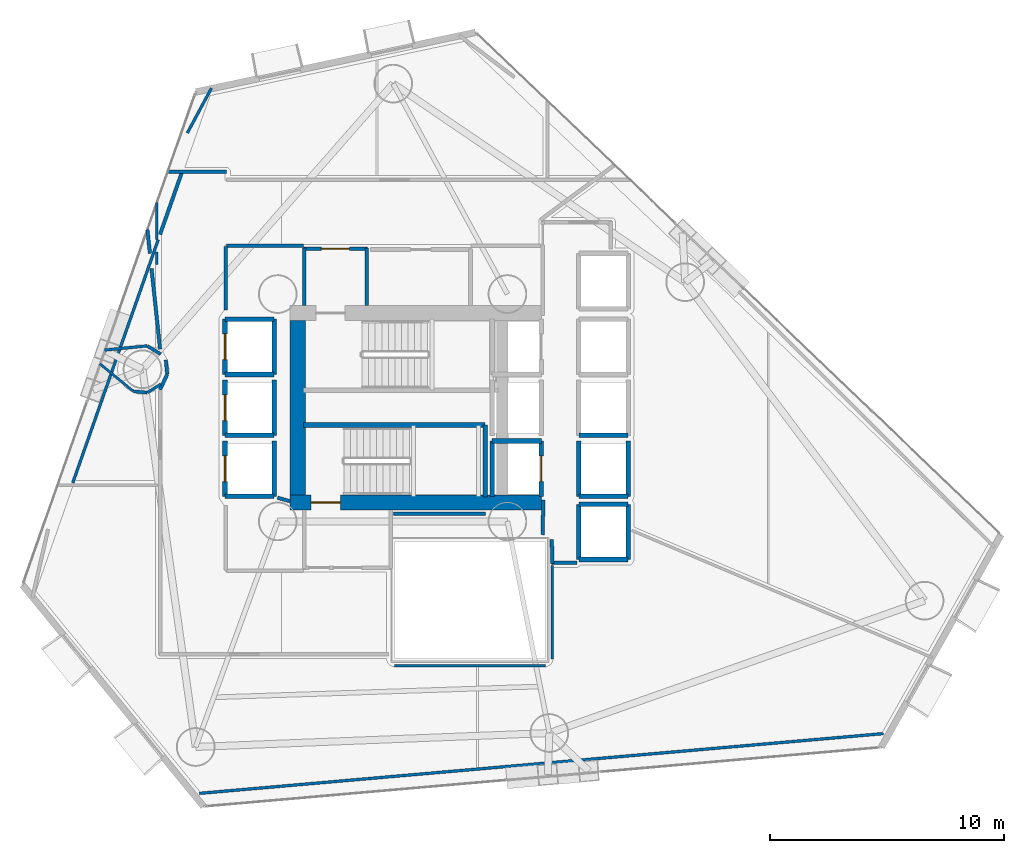
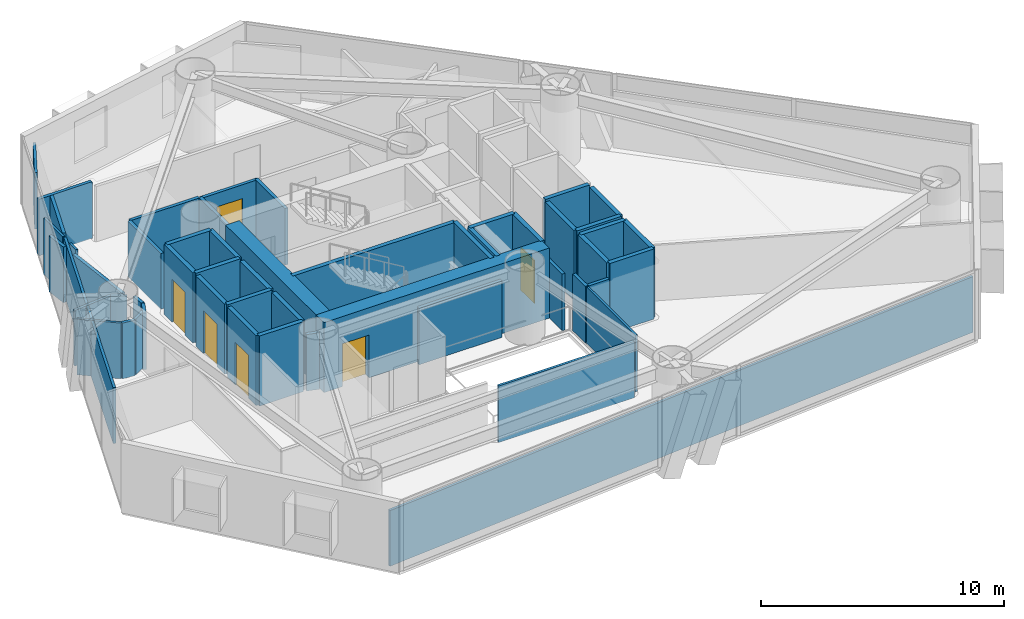
# One storey, part 18 of 23: 53 walls, 6 doors, 6 openings.
"""IFC4 building model written with IfcOpenShell, lengths in metres."""

from ifc_helpers import new_model, si_unit, direction, frame, frame_2d, origin, place, context, subcontext, project, spatial, rectangle, extrude, material, layer, layer_set, type_object, element, fill, save


model = new_model("IFC4")

# Units and contexts
model_context = context("Model", 3, precision=1e-05, world=origin(), true_north=direction((0.0, 1.0)))
body_context = subcontext(model_context, "Body", "Model", "MODEL_VIEW")
ifc_project = project(units=[si_unit("LENGTHUNIT", "METRE"), si_unit("AREAUNIT", "SQUARE_METRE"), si_unit("VOLUMEUNIT", "CUBIC_METRE"), si_unit("PLANEANGLEUNIT", "RADIAN"), si_unit("MASSUNIT", "GRAM", prefix="KILO")], contexts=[model_context])

# Site, building, storey
site_placement = place(None, origin())
site = spatial("IfcSite", under=ifc_project, at=site_placement, CompositionType="ELEMENT")
building_placement = place(site_placement, origin())
building = spatial("IfcBuilding", under=site, at=building_placement, Name="Qianvela Tower", CompositionType="ELEMENT")
storey_placement = place(building_placement, frame((0.0, 0.0, 63.60009765625)))
storey = spatial("IfcBuildingStorey", under=building, at=storey_placement, Name="L15", CompositionType="ELEMENT", Elevation=63.60009765625)

# Wall, opening, door
ifc_material_1 = material(Name="Concrete C60", Category="concrete")
ifc_layer_1 = layer(ifc_material_1, 0.64990234375)
ifc_layer_set_1 = layer_set([ifc_layer_1], Name="Concrete C60")
wall_type_1 = type_object("IfcWallType", Name="WT-CORE-650", PredefinedType="SHEAR", material=ifc_layer_set_1)
wall_1_placement = place(storey_placement, frame((29.1298828125, 24.655029296875, 0.0), z_axis=(0.0, 0.0, 1.0), x_axis=(1.0, 0.0, 0.0)))
wall_1 = element("IfcWall", 1, at=wall_1_placement, inside=storey, type_object=wall_type_1, Name="L15 South Core Shear Wall", PredefinedType="SHEAR", context=body_context, shape_type="SweptSolid", body=[
    extrude(rectangle(XDim=10.72021484375, YDim=0.64990234375, at=frame_2d((5.360107421875, 0.0))), origin(), (0.0, 0.0, 1.0), 3.52001953125),
])
opening_1_placement = place(wall_1_placement, frame((0.89501953125, 0.0, 0.0)))
opening_1 = element("IfcOpeningElement", 2, at=opening_1_placement, cuts=wall_1, Name="Opening D-ST1", PredefinedType="OPENING", context=body_context, shape_type="SweptSolid", body=[
    extrude(rectangle(XDim=1.25, YDim=2.14990234375, at=frame_2d((0.625, 1.074951171875))), frame((0.0, 0.3349609375, 0.0), z_axis=(0.0, -1.0, 0.0), x_axis=(1.0, 0.0, 0.0)), (0.0, 0.0, 1.0), 0.669921875),
])
ifc_material_2 = material(Name="Galvanised Fire Steel Q355B", Category="steel")
door_type_1 = type_object("IfcDoorType", Name="DT-STAIR-FD90", OperationType="NOTDEFINED", PredefinedType="DOOR", material=ifc_material_2)
door_1_placement = place(opening_1_placement, origin())
door_1 = element("IfcDoor", 3, at=door_1_placement, inside=storey, type_object=door_type_1, Name="L15 Stair ST-2 Exit Door", OperationType="SINGLE_SWING_LEFT", OverallHeight=2.14990234375, OverallWidth=1.25, PredefinedType="DOOR", context=body_context, shape_type="SweptSolid", body=[
    extrude(rectangle(XDim=1.25, YDim=2.14990234375, at=frame_2d((0.625, 1.074951171875))), frame((0.0, 0.02490234375, 0.0), z_axis=(0.0, -1.0, 0.0), x_axis=(1.0, 0.0, 0.0)), (0.0, 0.0, 1.0), 0.050048828125),
])
fill(opening_1, door_1)

# Walls
wall_2_placement = place(storey_placement, frame((29.455078125, 24.97998046875, 0.0), z_axis=(0.0, 0.0, 1.0), x_axis=(0.0, 1.0, 0.0)))
element("IfcWall", 4, at=wall_2_placement, inside=storey, type_object=wall_type_1, Name="L15 West Core Shear Wall", PredefinedType="SHEAR", context=body_context, shape_type="SweptSolid", body=[
    extrude(rectangle(XDim=7.43994140625, YDim=0.64990234375, at=frame_2d((3.719970703125, 0.0))), origin(), (0.0, 0.0, 1.0), 3.52001953125),
])
ifc_material_3 = material(Name="Fire-Rated Acoustic Gypsum Board")
ifc_layer_2 = layer(ifc_material_3, 0.14990234375)
ifc_layer_set_2 = layer_set([ifc_layer_2], Name="Fire-Rated Acoustic Gypsum Board")
wall_type_2 = type_object("IfcWallType", Name="WT-CORR-150", PredefinedType="PARTITIONING", material=ifc_layer_set_2)
wall_3_placement = place(storey_placement, frame((29.73095703125, 33.05810546875, 0.0), z_axis=(0.0, 0.0, 1.0), x_axis=(0.0, 1.0, 0.0)))
element("IfcWall", 5, at=wall_3_placement, inside=storey, type_object=wall_type_2, Name="L15 Partition 2", PredefinedType="PARTITIONING", context=body_context, shape_type="SweptSolid", body=[
    extrude(rectangle(XDim=2.4619140625, YDim=0.14990234375, at=frame_2d((1.23095703125, 0.0))), origin(), (0.0, 0.0, 1.0), 2.83984375),
])

# Wall, opening, door
wall_4_placement = place(storey_placement, frame((29.699951171875, 35.489013671875, 0.0), z_axis=(0.0, 0.0, 1.0), x_axis=(1.0, 0.0, 0.0)))
wall_4 = element("IfcWall", 6, at=wall_4_placement, inside=storey, type_object=wall_type_2, Name="L15 Partition 3", PredefinedType="PARTITIONING", context=body_context, shape_type="SweptSolid", body=[
    extrude(rectangle(XDim=2.719970703125, YDim=0.14990234375, at=frame_2d((1.35986328125, 0.0))), origin(), (0.0, 0.0, 1.0), 2.83984375),
])
opening_2_placement = place(wall_4_placement, frame((0.760009765625, 0.0, 0.0)))
opening_2 = element("IfcOpeningElement", 7, at=opening_2_placement, cuts=wall_4, Name="Opening D-LB1", PredefinedType="OPENING", context=body_context, shape_type="SweptSolid", body=[
    extrude(rectangle(XDim=1.199951171875, YDim=2.14990234375, at=frame_2d((0.60009765625, 1.074951171875))), frame((0.0, 0.0849609375, 0.0), z_axis=(0.0, -1.0, 0.0), x_axis=(1.0, 0.0, 0.0)), (0.0, 0.0, 1.0), 0.169921875),
])
ifc_material_4 = material(Name="Glazed Fire-Rated Steel Frame", Category="steel")
door_type_2 = type_object("IfcDoorType", Name="DT-LOBBY-FD90", OperationType="NOTDEFINED", PredefinedType="DOOR", material=ifc_material_4)
door_2_placement = place(opening_2_placement, origin())
door_2 = element("IfcDoor", 8, at=door_2_placement, inside=storey, type_object=door_type_2, Name="L15 Door L15 Firefighting Lobby North to L15 Floor Corridor", OperationType="SINGLE_SWING_LEFT", OverallHeight=2.14990234375, OverallWidth=1.199951171875, PredefinedType="DOOR", context=body_context, shape_type="SweptSolid", body=[
    extrude(rectangle(XDim=1.199951171875, YDim=2.14990234375, at=frame_2d((0.60009765625, 1.074951171875))), frame((0.0, 0.02490234375, 0.0), z_axis=(0.0, -1.0, 0.0), x_axis=(1.0, 0.0, 0.0)), (0.0, 0.0, 1.0), 0.050048828125),
])
fill(opening_2, door_2)

# Walls
wall_5_placement = place(storey_placement, frame((32.388916015625, 35.52001953125, 0.0), z_axis=(0.0, 0.0, 1.0), x_axis=(0.0, -1.0, 0.0)))
element("IfcWall", 9, at=wall_5_placement, inside=storey, type_object=wall_type_2, Name="L15 Partition 4", PredefinedType="PARTITIONING", context=body_context, shape_type="SweptSolid", body=[
    extrude(rectangle(XDim=2.4619140625, YDim=0.14990234375, at=frame_2d((1.23095703125, 0.0))), origin(), (0.0, 0.0, 1.0), 2.83984375),
])
wall_6_placement = place(storey_placement, frame((41.360107421875, 22.0810546875, 0.0), z_axis=(0.0, 0.0, 1.0), x_axis=(-1.0, 0.0, 0.0)))
element("IfcWall", 10, at=wall_6_placement, inside=storey, type_object=wall_type_2, Name="L15 Partition 15", PredefinedType="PARTITIONING", context=body_context, shape_type="SweptSolid", body=[
    extrude(rectangle(XDim=1.080078125, YDim=0.14990234375, at=frame_2d((0.5400390625, 0.0))), origin(), (0.0, 0.0, 1.0), 2.83984375),
])
wall_7_placement = place(storey_placement, frame((40.31103515625, 22.05029296875, 0.0), z_axis=(0.0, 0.0, 1.0), x_axis=(-0.011836292006, 0.999929948642, 0.0)))
element("IfcWall", 11, at=wall_7_placement, inside=storey, type_object=wall_type_2, Name="L15 Partition 16", PredefinedType="PARTITIONING", context=body_context, shape_type="SweptSolid", body=[
    extrude(rectangle(XDim=1.03125, YDim=0.14990234375, at=frame_2d((0.515625, 0.0))), origin(), (0.0, 0.0, 1.0), 2.83984375),
])
wall_8_placement = place(storey_placement, frame((39.910888671875, 23.27978515625, 0.0), z_axis=(0.0, 0.0, 1.0), x_axis=(0.009397771291, 0.999955839972, 0.0)))
element("IfcWall", 12, at=wall_8_placement, inside=storey, type_object=wall_type_2, Name="L15 Partition 17", PredefinedType="PARTITIONING", context=body_context, shape_type="SweptSolid", body=[
    extrude(rectangle(XDim=1.480712890625, YDim=0.14990234375, at=frame_2d((0.740234375, 0.0))), origin(), (0.0, 0.0, 1.0), 2.83984375),
])
wall_9_placement = place(storey_placement, frame((29.1298828125, 24.706298828125, 0.0), z_axis=(0.0, 0.0, 1.0), x_axis=(-0.960451214223, 0.278448316742, 0.0)))
element("IfcWall", 13, at=wall_9_placement, inside=storey, type_object=wall_type_2, Name="L15 Partition 27", PredefinedType="PARTITIONING", context=body_context, shape_type="SweptSolid", body=[
    extrude(rectangle(XDim=0.56201171875, YDim=0.14990234375, at=frame_2d((0.281005859375, 0.0))), origin(), (0.0, 0.0, 1.0), 2.83984375),
])
wall_10_placement = place(storey_placement, frame((37.466552734375, 24.180908203125, 0.0), z_axis=(0.0, 0.0, 1.0), x_axis=(-1.0, 0.0, 0.0)))
element("IfcWall", 14, at=wall_10_placement, inside=storey, type_object=wall_type_2, Name="L15 Partition 34", PredefinedType="PARTITIONING", context=body_context, shape_type="SweptSolid", body=[
    extrude(rectangle(XDim=3.9365234375, YDim=0.14990234375, at=frame_2d((1.96826171875, 0.0))), origin(), (0.0, 0.0, 1.0), 2.83984375),
])
wall_11_placement = place(storey_placement, frame((23.5810546875, 31.197265625, 0.0), z_axis=(0.0, 0.0, 1.0), x_axis=(-0.105728143811, 0.994395072195, 0.0)))
element("IfcWall", 15, at=wall_11_placement, inside=storey, type_object=wall_type_2, Name="L15 Partition 35", PredefinedType="PARTITIONING", context=body_context, shape_type="SweptSolid", body=[
    extrude(rectangle(XDim=3.458984375, YDim=0.14990234375, at=frame_2d((1.7294921875, 0.0))), origin(), (0.0, 0.0, 1.0), 2.7978515625),
])
wall_12_placement = place(storey_placement, frame((23.5791015625, 36.094482421875, 0.0), z_axis=(0.0, 0.0, 1.0), x_axis=(0.331492162661, 0.943457972617, 0.0)))
element("IfcWall", 16, at=wall_12_placement, inside=storey, type_object=wall_type_2, Name="L15 Partition 36", PredefinedType="PARTITIONING", context=body_context, shape_type="SweptSolid", body=[
    extrude(rectangle(XDim=2.85693359375, YDim=0.14990234375, at=frame_2d((1.428466796875, 0.0))), origin(), (0.0, 0.0, 1.0), 2.83984375),
])
wall_13_placement = place(storey_placement, frame((23.888427734375, 38.76904296875, 0.0), z_axis=(0.0, 0.0, 1.0), x_axis=(1.0, 0.0, 0.0)))
element("IfcWall", 17, at=wall_13_placement, inside=storey, type_object=wall_type_2, Name="L15 Partition 37", PredefinedType="PARTITIONING", context=body_context, shape_type="SweptSolid", body=[
    extrude(rectangle(XDim=2.531494140625, YDim=0.14990234375, at=frame_2d((1.265625, 0.0))), origin(), (0.0, 0.0, 1.0), 2.83984375),
])
wall_14_placement = place(storey_placement, frame((29.699951171875, 35.611083984375, 0.0), z_axis=(0.0, 0.0, 1.0), x_axis=(-1.0, 0.0, 0.0)))
element("IfcWall", 18, at=wall_14_placement, inside=storey, type_object=wall_type_2, Name="L15 Partition 41 seg 3", PredefinedType="PARTITIONING", context=body_context, shape_type="SweptSolid", body=[
    extrude(rectangle(XDim=3.280029296875, YDim=0.14990234375, at=frame_2d((1.64013671875, 0.0))), origin(), (0.0, 0.0, 1.0), 2.7978515625),
])
wall_15_placement = place(storey_placement, frame((26.388916015625, 35.580078125, 0.0), z_axis=(0.0, 0.0, 1.0), x_axis=(0.0, -1.0, 0.0)))
element("IfcWall", 19, at=wall_15_placement, inside=storey, type_object=wall_type_2, Name="L15 Partition 42", PredefinedType="PARTITIONING", context=body_context, shape_type="SweptSolid", body=[
    extrude(rectangle(XDim=2.71044921875, YDim=0.14990234375, at=frame_2d((1.355224609375, 0.0))), origin(), (0.0, 0.0, 1.0), 2.7978515625),
])
wall_16_placement = place(storey_placement, frame((23.578125, 29.4697265625, 0.0), z_axis=(0.0, 0.0, 1.0), x_axis=(0.421827918194, 0.906675910914, 0.0)))
element("IfcWall", 20, at=wall_16_placement, inside=storey, type_object=wall_type_2, Name="L15 Partition 48", PredefinedType="PARTITIONING", context=body_context, shape_type="SweptSolid", body=[
    extrude(rectangle(XDim=0.720458984375, YDim=0.14990234375, at=frame_2d((0.3603515625, 0.0))), origin(), (0.0, 0.0, 1.0), 2.83984375),
])
wall_17_placement = place(storey_placement, frame((23.884765625, 30.13916015625, 0.0), z_axis=(0.0, 0.0, 1.0), x_axis=(-0.0981888168, 0.995167803064, 0.0)))
element("IfcWall", 21, at=wall_17_placement, inside=storey, type_object=wall_type_2, Name="L15 Partition 49", PredefinedType="PARTITIONING", context=body_context, shape_type="SweptSolid", body=[
    extrude(rectangle(XDim=0.606689453125, YDim=0.14990234375, at=frame_2d((0.30322265625, 0.0))), origin(), (0.0, 0.0, 1.0), 2.83984375),
])
wall_18_placement = place(storey_placement, frame((23.146484375, 35.285400390625, 0.0), z_axis=(0.0, 0.0, 1.0), x_axis=(-0.105523084054, 0.994416853604, 0.0)))
element("IfcWall", 22, at=wall_18_placement, inside=storey, type_object=wall_type_2, Name="L15 Partition 35 trim 1", PredefinedType="PARTITIONING", context=body_context, shape_type="SweptSolid", body=[
    extrude(rectangle(XDim=1.015625, YDim=0.14990234375, at=frame_2d((0.5078125, 0.0))), origin(), (0.0, 0.0, 1.0), 2.7978515625),
])
ifc_material_5 = material(Name="Lightweight Gypsum Room Partition")
ifc_layer_3 = layer(ifc_material_5, 0.10498046875)
ifc_layer_set_3 = layer_set([ifc_layer_3], Name="Lightweight Gypsum Room Partition")
wall_type_3 = type_object("IfcWallType", Name="WT-PART-105", PredefinedType="PARTITIONING", material=ifc_layer_set_3)
wall_19_placement = place(storey_placement, frame((40.309814453125, 17.972412109375, 0.0), z_axis=(0.0, 0.0, 1.0), x_axis=(0.000305362145, 0.999999953377, 0.0)))
element("IfcWall", 23, at=wall_19_placement, inside=storey, type_object=wall_type_3, Name="L15 Partition 58 seg 1", PredefinedType="PARTITIONING", context=body_context, shape_type="SweptSolid", body=[
    extrude(rectangle(XDim=3.99755859375, YDim=0.10498046875, at=frame_2d((1.998779296875, 0.0))), origin(), (0.0, 0.0, 1.0), 2.83984375),
])
wall_20_placement = place(storey_placement, frame((23.43896484375, 37.45263671875, 0.0), z_axis=(0.0, 0.0, 1.0), x_axis=(0.0, -1.0, 0.0)))
element("IfcWall", 24, at=wall_20_placement, inside=storey, type_object=wall_type_3, Name="L15 Partition 85 seg 1", PredefinedType="PARTITIONING", context=body_context, shape_type="SweptSolid", body=[
    extrude(rectangle(XDim=1.564697265625, YDim=0.10498046875, at=frame_2d((0.7822265625, 0.0))), origin(), (0.0, 0.0, 1.0), 2.83984375),
])
wall_21_placement = place(storey_placement, frame((21.009033203125, 30.57421875, 0.0), z_axis=(0.0, 0.0, 1.0), x_axis=(0.772981671656, -0.634428353152, 0.0)))
element("IfcWall", 25, at=wall_21_placement, inside=storey, type_object=wall_type_3, Name="L15 Partition 91", PredefinedType="PARTITIONING", context=body_context, shape_type="SweptSolid", body=[
    extrude(rectangle(XDim=1.84130859375, YDim=0.10498046875, at=frame_2d((0.920654296875, 0.0))), origin(), (0.0, 0.0, 1.0), 2.7978515625),
])
wall_22_placement = place(storey_placement, frame((23.439208984375, 35.34130859375, 0.0), z_axis=(0.0, 0.0, 1.0), x_axis=(0.0, -1.0, 0.0)))
element("IfcWall", 26, at=wall_22_placement, inside=storey, type_object=wall_type_3, Name="L15 Partition 85 seg 1 trim 1", PredefinedType="PARTITIONING", context=body_context, shape_type="SweptSolid", body=[
    extrude(rectangle(XDim=0.5380859375, YDim=0.10498046875, at=frame_2d((0.26904296875, 0.0))), origin(), (0.0, 0.0, 1.0), 2.83984375),
])
ifc_material_6 = material(Name="Insulated Gypsum Stud Partition")
ifc_layer_4 = layer(ifc_material_6, 0.1201171875)
ifc_layer_set_4 = layer_set([ifc_layer_4], Name="Insulated Gypsum Stud Partition")
wall_type_4 = type_object("IfcWallType", Name="WT-PART-120", PredefinedType="PARTITIONING", material=ifc_layer_set_4)
wall_23_placement = place(storey_placement, frame((54.438720703125, 14.7939453125, 0.0), z_axis=(0.0, 0.0, 1.0), x_axis=(-0.996205043404, -0.087037414344, 0.0)))
element("IfcWall", 27, at=wall_23_placement, inside=storey, type_object=wall_type_4, Name="L15 Partition 51", PredefinedType="PARTITIONING", context=body_context, shape_type="SweptSolid", body=[
    extrude(rectangle(XDim=29.29541015625, YDim=0.1201171875, at=frame_2d((14.647705078125, 0.0))), origin(), (0.0, 0.0, 1.0), 2.7978515625),
])
wall_24_placement = place(storey_placement, frame((33.572509765625, 17.690185546875, 0.0), z_axis=(0.0, 0.0, 1.0), x_axis=(1.0, 0.0, 0.0)))
element("IfcWall", 28, at=wall_24_placement, inside=storey, type_object=wall_type_4, Name="L15 Partition 57", PredefinedType="PARTITIONING", context=body_context, shape_type="SweptSolid", body=[
    extrude(rectangle(XDim=6.454833984375, YDim=0.1201171875, at=frame_2d((3.2275390625, 0.0))), origin(), (0.0, 0.0, 1.0), 2.83984375),
])
wall_25_placement = place(storey_placement, frame((24.74462890625, 40.425048828125, 0.0), z_axis=(0.0, 0.0, 1.0), x_axis=(0.473616617927, 0.880731116302, 0.0)))
element("IfcWall", 29, at=wall_25_placement, inside=storey, type_object=wall_type_4, Name="L15 Partition 78 seg 1", PredefinedType="PARTITIONING", context=body_context, shape_type="SweptSolid", body=[
    extrude(rectangle(XDim=2.169677734375, YDim=0.1201171875, at=frame_2d((1.0849609375, 0.0))), origin(), (0.0, 0.0, 1.0), 2.83984375),
])
wall_26_placement = place(storey_placement, frame((19.85546875, 25.496826171875, 0.0), z_axis=(0.0, 0.0, 1.0), x_axis=(0.331505765722, 0.943453192953, 0.0)))
element("IfcWall", 30, at=wall_26_placement, inside=storey, type_object=wall_type_4, Name="L15 Partition 84", PredefinedType="PARTITIONING", context=body_context, shape_type="SweptSolid", body=[
    extrude(rectangle(XDim=10.99169921875, YDim=0.1201171875, at=frame_2d((5.495849609375, 0.0))), origin(), (0.0, 0.0, 1.0), 2.7978515625),
])
wall_27_placement = place(storey_placement, frame((23.01806640625, 31.3369140625, 0.0), z_axis=(0.0, 0.0, 1.0), x_axis=(-0.995186856908, -0.097995509274, 0.0)))
element("IfcWall", 31, at=wall_27_placement, inside=storey, type_object=wall_type_4, Name="L15 Partition 87", PredefinedType="PARTITIONING", context=body_context, shape_type="SweptSolid", body=[
    extrude(rectangle(XDim=1.811279296875, YDim=0.1201171875, at=frame_2d((0.90576171875, 0.0))), origin(), (0.0, 0.0, 1.0), 2.7978515625),
])
wall_28_placement = place(storey_placement, frame((23.03759765625, 29.34765625, 0.0), z_axis=(0.0, 0.0, 1.0), x_axis=(0.850157603054, 0.526528299306, 0.0)))
element("IfcWall", 32, at=wall_28_placement, inside=storey, type_object=wall_type_4, Name="L15 Partition 93", PredefinedType="PARTITIONING", context=body_context, shape_type="SweptSolid", body=[
    extrude(rectangle(XDim=0.677490234375, YDim=0.1201171875, at=frame_2d((0.3388671875, 0.0))), origin(), (0.0, 0.0, 1.0), 2.7978515625),
])
ifc_material_7 = material(Name="Acoustic Double Gypsum Stud Partition")
ifc_layer_5 = layer(ifc_material_7, 0.139892578125)
ifc_layer_set_5 = layer_set([ifc_layer_5], Name="Acoustic Double Gypsum Stud Partition")
wall_type_5 = type_object("IfcWallType", Name="WT-ROOM-140", PredefinedType="PARTITIONING", material=ifc_layer_set_5)
wall_29_placement = place(storey_placement, frame((23.6083984375, 30.981689453125, 0.0), z_axis=(0.0, 0.0, 1.0), x_axis=(-0.852045812822, 0.523467222328, 0.0)))
element("IfcWall", 33, at=wall_29_placement, inside=storey, type_object=wall_type_5, Name="L15 Partition 86", PredefinedType="PARTITIONING", context=body_context, shape_type="SweptSolid", body=[
    extrude(rectangle(XDim=0.670166015625, YDim=0.139892578125, at=frame_2d((0.3349609375, 0.0))), origin(), (0.0, 0.0, 1.0), 2.7978515625),
])
wall_30_placement = place(storey_placement, frame((22.448974609375, 29.399169921875, 0.0), z_axis=(0.0, 0.0, 1.0), x_axis=(0.995167364461, -0.098193262045, 0.0)))
element("IfcWall", 34, at=wall_30_placement, inside=storey, type_object=wall_type_5, Name="L15 Partition 92", PredefinedType="PARTITIONING", context=body_context, shape_type="SweptSolid", body=[
    extrude(rectangle(XDim=0.57177734375, YDim=0.139892578125, at=frame_2d((0.285888671875, 0.0))), origin(), (0.0, 0.0, 1.0), 2.7978515625),
])
ifc_material_8 = material(Name="Concrete C50", Category="concrete")
ifc_layer_6 = layer(ifc_material_8, 0.199951171875)
ifc_layer_set_6 = layer_set([ifc_layer_6], Name="Concrete C50")
wall_type_6 = type_object("IfcWallType", Name="WT-SHAFT-200", PredefinedType="SOLIDWALL", material=ifc_layer_set_6)
wall_31_placement = place(storey_placement, frame((29.699951171875, 27.9599609375, 0.0), z_axis=(0.0, 0.0, 1.0), x_axis=(1.0, 0.0, 0.0)))
element("IfcWall", 35, at=wall_31_placement, inside=storey, type_object=wall_type_6, Name="L15 Stair ST-2 North Wall", PredefinedType="SOLIDWALL", context=body_context, shape_type="SweptSolid", body=[
    extrude(rectangle(XDim=7.75, YDim=0.199951171875, at=frame_2d((3.875, 0.0))), origin(), (0.0, 0.0, 1.0), 3.52001953125),
])
wall_32_placement = place(storey_placement, frame((37.449951171875, 24.89990234375, 0.0), z_axis=(0.0, 0.0, 1.0), x_axis=(0.0, 1.0, 0.0)))
element("IfcWall", 36, at=wall_32_placement, inside=storey, type_object=wall_type_6, Name="L15 Stair ST-2 East Wall", PredefinedType="SOLIDWALL", context=body_context, shape_type="SweptSolid", body=[
    extrude(rectangle(XDim=3.06005859375, YDim=0.199951171875, at=frame_2d((1.530029296875, 0.0))), origin(), (0.0, 0.0, 1.0), 3.52001953125),
])

# Wall, opening, door
wall_33_placement = place(storey_placement, frame((39.85009765625, 24.919921875, 0.0), z_axis=(0.0, 0.0, 1.0), x_axis=(0.0, 1.0, 0.0)))
wall_33 = element("IfcWall", 37, at=wall_33_placement, inside=storey, type_object=wall_type_6, Name="L15 Lift FL-2 E Shaft Wall", PredefinedType="SOLIDWALL", context=body_context, shape_type="SweptSolid", body=[
    extrude(rectangle(XDim=2.360107421875, YDim=0.199951171875, at=frame_2d((1.18017578125, 0.0))), origin(), (0.0, 0.0, 1.0), 3.52001953125),
])
opening_3_placement = place(wall_33_placement, frame((0.6298828125, 0.0, 0.0)))
opening_3 = element("IfcOpeningElement", 38, at=opening_3_placement, cuts=wall_33, Name="Opening LD-01", PredefinedType="OPENING", context=body_context, shape_type="SweptSolid", body=[
    extrude(rectangle(XDim=1.10009765625, YDim=2.14990234375, at=frame_2d((0.550048828125, 1.074951171875))), frame((0.0, 0.10986328125, 0.0), z_axis=(0.0, -1.0, 0.0), x_axis=(1.0, 0.0, 0.0)), (0.0, 0.0, 1.0), 0.219970703125),
])
ifc_material_9 = material(Name="Brushed Stainless Steel Lift Landing Door", Category="steel")
door_type_3 = type_object("IfcDoorType", Name="DT-LIFT-SLIDE-1100", OperationType="SLIDING_TO_LEFT", PredefinedType="DOOR", material=ifc_material_9)
door_3_placement = place(opening_3_placement, origin())
door_3 = element("IfcDoor", 39, at=door_3_placement, inside=storey, type_object=door_type_3, Name="L15 Lift FL-2 Sliding Landing Door", OperationType="SLIDING_TO_LEFT", OverallHeight=2.14990234375, OverallWidth=1.10009765625, PredefinedType="DOOR", context=body_context, shape_type="SweptSolid", body=[
    extrude(rectangle(XDim=1.10009765625, YDim=2.14990234375, at=frame_2d((0.550048828125, 1.074951171875))), frame((0.0, 0.02490234375, 0.0), z_axis=(0.0, -1.0, 0.0), x_axis=(1.0, 0.0, 0.0)), (0.0, 0.0, 1.0), 0.050048828125),
])
fill(opening_3, door_3)

# Walls
wall_34_placement = place(storey_placement, frame((37.75, 24.919921875, 0.0), z_axis=(0.0, 0.0, 1.0), x_axis=(0.0, 1.0, 0.0)))
element("IfcWall", 40, at=wall_34_placement, inside=storey, type_object=wall_type_6, Name="L15 Lift FL-2 W Shaft Wall", PredefinedType="SOLIDWALL", context=body_context, shape_type="SweptSolid", body=[
    extrude(rectangle(XDim=2.360107421875, YDim=0.199951171875, at=frame_2d((1.18017578125, 0.0))), origin(), (0.0, 0.0, 1.0), 3.52001953125),
])
wall_35_placement = place(storey_placement, frame((37.75, 27.280029296875, 0.0), z_axis=(0.0, 0.0, 1.0), x_axis=(1.0, 0.0, 0.0)))
element("IfcWall", 41, at=wall_35_placement, inside=storey, type_object=wall_type_6, Name="L15 Lift FL-2 N Shaft Wall", PredefinedType="SOLIDWALL", context=body_context, shape_type="SweptSolid", body=[
    extrude(rectangle(XDim=2.10009765625, YDim=0.199951171875, at=frame_2d((1.050048828125, 0.0))), origin(), (0.0, 0.0, 1.0), 3.52001953125),
])
wall_36_placement = place(storey_placement, frame((28.449951171875, 30.1201171875, 0.0), z_axis=(0.0, 0.0, 1.0), x_axis=(0.0, 1.0, 0.0)))
element("IfcWall", 42, at=wall_36_placement, inside=storey, type_object=wall_type_6, Name="L15 Lift PL-L1 E Shaft Wall", PredefinedType="SOLIDWALL", context=body_context, shape_type="SweptSolid", body=[
    extrude(rectangle(XDim=2.35986328125, YDim=0.199951171875, at=frame_2d((1.179931640625, 0.0))), origin(), (0.0, 0.0, 1.0), 3.52001953125),
])

# Wall, opening, door
wall_37_placement = place(storey_placement, frame((26.35009765625, 30.1201171875, 0.0), z_axis=(0.0, 0.0, 1.0), x_axis=(0.0, 1.0, 0.0)))
wall_37 = element("IfcWall", 43, at=wall_37_placement, inside=storey, type_object=wall_type_6, Name="L15 Lift PL-L1 W Shaft Wall", PredefinedType="SOLIDWALL", context=body_context, shape_type="SweptSolid", body=[
    extrude(rectangle(XDim=2.35986328125, YDim=0.199951171875, at=frame_2d((1.179931640625, 0.0))), origin(), (0.0, 0.0, 1.0), 3.52001953125),
])
opening_4_placement = place(wall_37_placement, frame((0.6298828125, 0.0, 0.0)))
opening_4 = element("IfcOpeningElement", 44, at=opening_4_placement, cuts=wall_37, Name="Opening LD-01", PredefinedType="OPENING", context=body_context, shape_type="SweptSolid", body=[
    extrude(rectangle(XDim=1.10009765625, YDim=2.14990234375, at=frame_2d((0.550048828125, 1.074951171875))), frame((0.0, 0.10986328125, 0.0), z_axis=(0.0, -1.0, 0.0), x_axis=(1.0, 0.0, 0.0)), (0.0, 0.0, 1.0), 0.219970703125),
])
door_4_placement = place(opening_4_placement, origin())
door_4 = element("IfcDoor", 45, at=door_4_placement, inside=storey, type_object=door_type_3, Name="L15 Lift PL-L1 Sliding Landing Door", OperationType="SLIDING_TO_LEFT", OverallHeight=2.14990234375, OverallWidth=1.10009765625, PredefinedType="DOOR", context=body_context, shape_type="SweptSolid", body=[
    extrude(rectangle(XDim=1.10009765625, YDim=2.14990234375, at=frame_2d((0.550048828125, 1.074951171875))), frame((0.0, 0.02490234375, 0.0), z_axis=(0.0, -1.0, 0.0), x_axis=(1.0, 0.0, 0.0)), (0.0, 0.0, 1.0), 0.050048828125),
])
fill(opening_4, door_4)

# Walls
for number, where, z_axis, x_axis, name in (
    (46, (26.35009765625, 32.47998046875, 0.0), (0.0, 0.0, 1.0), (1.0, 0.0, 0.0), "L15 Lift PL-L1 N Shaft Wall"),
    (47, (26.35009765625, 30.1201171875, 0.0), (0.0, 0.0, 1.0), (1.0, 0.0, 0.0), "L15 Lift PL-L1 S Shaft Wall"),
):
    element("IfcWall", number, at=place(storey_placement, frame(where, z_axis=z_axis, x_axis=x_axis)), inside=storey, type_object=wall_type_6, Name=name, PredefinedType="SOLIDWALL", context=body_context, shape_type="SweptSolid", body=[
        extrude(rectangle(XDim=2.099853515625, YDim=0.199951171875, at=frame_2d((1.0498046875, 0.0))), origin(), (0.0, 0.0, 1.0), 3.52001953125),
    ])
wall_38_placement = place(storey_placement, frame((28.449951171875, 27.52001953125, 0.0), z_axis=(0.0, 0.0, 1.0), x_axis=(0.0, 1.0, 0.0)))
element("IfcWall", 48, at=wall_38_placement, inside=storey, type_object=wall_type_6, Name="L15 Lift PL-L2 E Shaft Wall", PredefinedType="SOLIDWALL", context=body_context, shape_type="SweptSolid", body=[
    extrude(rectangle(XDim=2.35986328125, YDim=0.199951171875, at=frame_2d((1.179931640625, 0.0))), origin(), (0.0, 0.0, 1.0), 3.52001953125),
])

# Wall, opening, door
wall_39_placement = place(storey_placement, frame((26.35009765625, 27.52001953125, 0.0), z_axis=(0.0, 0.0, 1.0), x_axis=(0.0, 1.0, 0.0)))
wall_39 = element("IfcWall", 49, at=wall_39_placement, inside=storey, type_object=wall_type_6, Name="L15 Lift PL-L2 W Shaft Wall", PredefinedType="SOLIDWALL", context=body_context, shape_type="SweptSolid", body=[
    extrude(rectangle(XDim=2.35986328125, YDim=0.199951171875, at=frame_2d((1.179931640625, 0.0))), origin(), (0.0, 0.0, 1.0), 3.52001953125),
])
opening_5_placement = place(wall_39_placement, frame((0.6298828125, 0.0, 0.0)))
opening_5 = element("IfcOpeningElement", 50, at=opening_5_placement, cuts=wall_39, Name="Opening LD-01", PredefinedType="OPENING", context=body_context, shape_type="SweptSolid", body=[
    extrude(rectangle(XDim=1.10009765625, YDim=2.14990234375, at=frame_2d((0.550048828125, 1.074951171875))), frame((0.0, 0.10986328125, 0.0), z_axis=(0.0, -1.0, 0.0), x_axis=(1.0, 0.0, 0.0)), (0.0, 0.0, 1.0), 0.219970703125),
])
door_5_placement = place(opening_5_placement, origin())
door_5 = element("IfcDoor", 51, at=door_5_placement, inside=storey, type_object=door_type_3, Name="L15 Lift PL-L2 Sliding Landing Door", OperationType="SLIDING_TO_LEFT", OverallHeight=2.14990234375, OverallWidth=1.10009765625, PredefinedType="DOOR", context=body_context, shape_type="SweptSolid", body=[
    extrude(rectangle(XDim=1.10009765625, YDim=2.14990234375, at=frame_2d((0.550048828125, 1.074951171875))), frame((0.0, 0.02490234375, 0.0), z_axis=(0.0, -1.0, 0.0), x_axis=(1.0, 0.0, 0.0)), (0.0, 0.0, 1.0), 0.050048828125),
])
fill(opening_5, door_5)

# Walls
wall_40_placement = place(storey_placement, frame((26.35009765625, 27.52001953125, 0.0), z_axis=(0.0, 0.0, 1.0), x_axis=(1.0, 0.0, 0.0)))
element("IfcWall", 52, at=wall_40_placement, inside=storey, type_object=wall_type_6, Name="L15 Lift PL-L2 S Shaft Wall", PredefinedType="SOLIDWALL", context=body_context, shape_type="SweptSolid", body=[
    extrude(rectangle(XDim=2.099853515625, YDim=0.199951171875, at=frame_2d((1.0498046875, 0.0))), origin(), (0.0, 0.0, 1.0), 3.52001953125),
])
wall_41_placement = place(storey_placement, frame((28.449951171875, 24.919921875, 0.0), z_axis=(0.0, 0.0, 1.0), x_axis=(0.0, 1.0, 0.0)))
element("IfcWall", 53, at=wall_41_placement, inside=storey, type_object=wall_type_6, Name="L15 Lift PL-L3 E Shaft Wall", PredefinedType="SOLIDWALL", context=body_context, shape_type="SweptSolid", body=[
    extrude(rectangle(XDim=2.360107421875, YDim=0.199951171875, at=frame_2d((1.18017578125, 0.0))), origin(), (0.0, 0.0, 1.0), 3.52001953125),
])

# Wall, opening, door
wall_42_placement = place(storey_placement, frame((26.35009765625, 24.919921875, 0.0), z_axis=(0.0, 0.0, 1.0), x_axis=(0.0, 1.0, 0.0)))
wall_42 = element("IfcWall", 54, at=wall_42_placement, inside=storey, type_object=wall_type_6, Name="L15 Lift PL-L3 W Shaft Wall", PredefinedType="SOLIDWALL", context=body_context, shape_type="SweptSolid", body=[
    extrude(rectangle(XDim=2.360107421875, YDim=0.199951171875, at=frame_2d((1.18017578125, 0.0))), origin(), (0.0, 0.0, 1.0), 3.52001953125),
])
opening_6_placement = place(wall_42_placement, frame((0.6298828125, 0.0, 0.0)))
opening_6 = element("IfcOpeningElement", 55, at=opening_6_placement, cuts=wall_42, Name="Opening LD-01", PredefinedType="OPENING", context=body_context, shape_type="SweptSolid", body=[
    extrude(rectangle(XDim=1.10009765625, YDim=2.14990234375, at=frame_2d((0.550048828125, 1.074951171875))), frame((0.0, 0.10986328125, 0.0), z_axis=(0.0, -1.0, 0.0), x_axis=(1.0, 0.0, 0.0)), (0.0, 0.0, 1.0), 0.219970703125),
])
door_6_placement = place(opening_6_placement, origin())
door_6 = element("IfcDoor", 56, at=door_6_placement, inside=storey, type_object=door_type_3, Name="L15 Lift PL-L3 Sliding Landing Door", OperationType="SLIDING_TO_LEFT", OverallHeight=2.14990234375, OverallWidth=1.10009765625, PredefinedType="DOOR", context=body_context, shape_type="SweptSolid", body=[
    extrude(rectangle(XDim=1.10009765625, YDim=2.14990234375, at=frame_2d((0.550048828125, 1.074951171875))), frame((0.0, 0.02490234375, 0.0), z_axis=(0.0, -1.0, 0.0), x_axis=(1.0, 0.0, 0.0)), (0.0, 0.0, 1.0), 0.050048828125),
])
fill(opening_6, door_6)

# Walls
wall_43_placement = place(storey_placement, frame((26.35009765625, 24.919921875, 0.0), z_axis=(0.0, 0.0, 1.0), x_axis=(1.0, 0.0, 0.0)))
element("IfcWall", 57, at=wall_43_placement, inside=storey, type_object=wall_type_6, Name="L15 Lift PL-L3 S Shaft Wall", PredefinedType="SOLIDWALL", context=body_context, shape_type="SweptSolid", body=[
    extrude(rectangle(XDim=2.099853515625, YDim=0.199951171875, at=frame_2d((1.0498046875, 0.0))), origin(), (0.0, 0.0, 1.0), 3.52001953125),
])
wall_44_placement = place(storey_placement, frame((41.449951171875, 27.52001953125, 0.0), z_axis=(0.0, 0.0, 1.0), x_axis=(1.0, 0.0, 0.0)))
element("IfcWall", 58, at=wall_44_placement, inside=storey, type_object=wall_type_6, Name="L15 Lift PL-M2 S Shaft Wall", PredefinedType="SOLIDWALL", context=body_context, shape_type="SweptSolid", body=[
    extrude(rectangle(XDim=2.10009765625, YDim=0.199951171875, at=frame_2d((1.050048828125, 0.0))), origin(), (0.0, 0.0, 1.0), 3.52001953125),
])
for number, where, z_axis, x_axis, name in (
    (59, (43.550048828125, 24.919921875, 0.0), (0.0, 0.0, 1.0), (0.0, 1.0, 0.0), "L15 Lift PL-M3 E Shaft Wall"),
    (60, (41.449951171875, 24.919921875, 0.0), (0.0, 0.0, 1.0), (0.0, 1.0, 0.0), "L15 Lift PL-M3 W Shaft Wall"),
):
    element("IfcWall", number, at=place(storey_placement, frame(where, z_axis=z_axis, x_axis=x_axis)), inside=storey, type_object=wall_type_6, Name=name, PredefinedType="SOLIDWALL", context=body_context, shape_type="SweptSolid", body=[
        extrude(rectangle(XDim=2.360107421875, YDim=0.199951171875, at=frame_2d((1.18017578125, 0.0))), origin(), (0.0, 0.0, 1.0), 3.52001953125),
    ])
wall_45_placement = place(storey_placement, frame((41.449951171875, 24.919921875, 0.0), z_axis=(0.0, 0.0, 1.0), x_axis=(1.0, 0.0, 0.0)))
element("IfcWall", 61, at=wall_45_placement, inside=storey, type_object=wall_type_6, Name="L15 Lift PL-M3 S Shaft Wall", PredefinedType="SOLIDWALL", context=body_context, shape_type="SweptSolid", body=[
    extrude(rectangle(XDim=2.10009765625, YDim=0.199951171875, at=frame_2d((1.050048828125, 0.0))), origin(), (0.0, 0.0, 1.0), 3.52001953125),
])
for number, where, z_axis, x_axis, name in (
    (62, (43.550048828125, 22.219970703125, 0.0), (0.0, 0.0, 1.0), (0.0, 1.0, 0.0), "L15 Lift PL-H2 E Shaft Wall"),
    (63, (41.449951171875, 22.219970703125, 0.0), (0.0, 0.0, 1.0), (0.0, 1.0, 0.0), "L15 Lift PL-H2 W Shaft Wall"),
):
    element("IfcWall", number, at=place(storey_placement, frame(where, z_axis=z_axis, x_axis=x_axis)), inside=storey, type_object=wall_type_6, Name=name, PredefinedType="SOLIDWALL", context=body_context, shape_type="SweptSolid", body=[
        extrude(rectangle(XDim=2.360107421875, YDim=0.199951171875, at=frame_2d((1.18017578125, 0.0))), origin(), (0.0, 0.0, 1.0), 3.52001953125),
    ])
for number, where, z_axis, x_axis, name in (
    (64, (41.449951171875, 24.580078125, 0.0), (0.0, 0.0, 1.0), (1.0, 0.0, 0.0), "L15 Lift PL-H2 N Shaft Wall"),
    (65, (41.449951171875, 22.219970703125, 0.0), (0.0, 0.0, 1.0), (1.0, 0.0, 0.0), "L15 Lift PL-H2 S Shaft Wall"),
):
    element("IfcWall", number, at=place(storey_placement, frame(where, z_axis=z_axis, x_axis=x_axis)), inside=storey, type_object=wall_type_6, Name=name, PredefinedType="SOLIDWALL", context=body_context, shape_type="SweptSolid", body=[
        extrude(rectangle(XDim=2.10009765625, YDim=0.199951171875, at=frame_2d((1.050048828125, 0.0))), origin(), (0.0, 0.0, 1.0), 3.52001953125),
    ])

save(model, "model.ifc")
